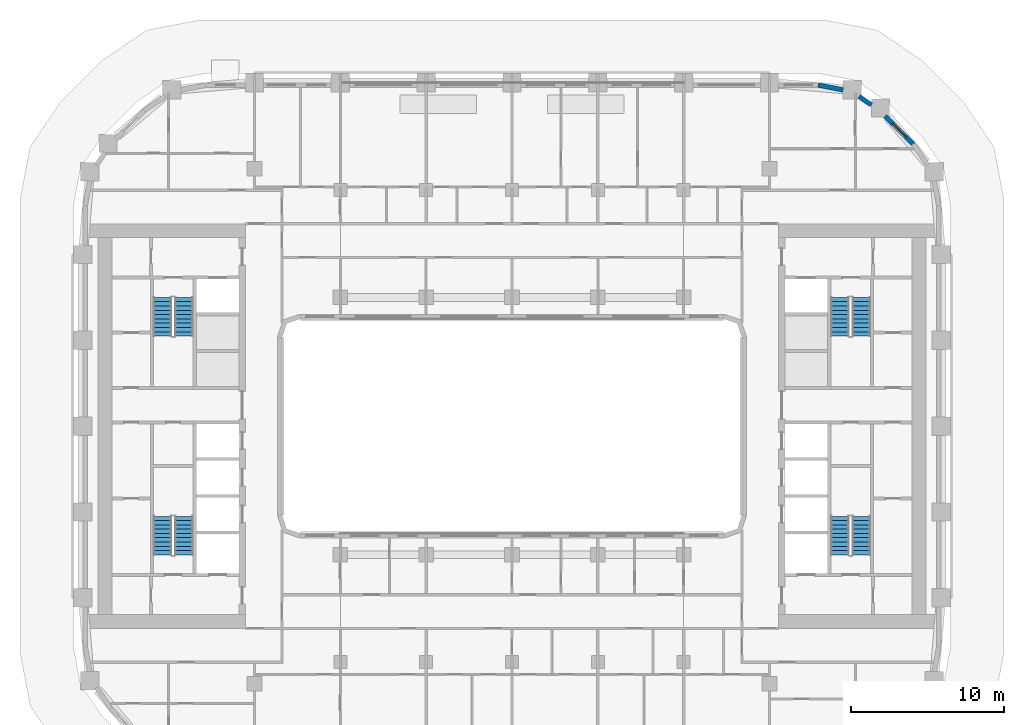
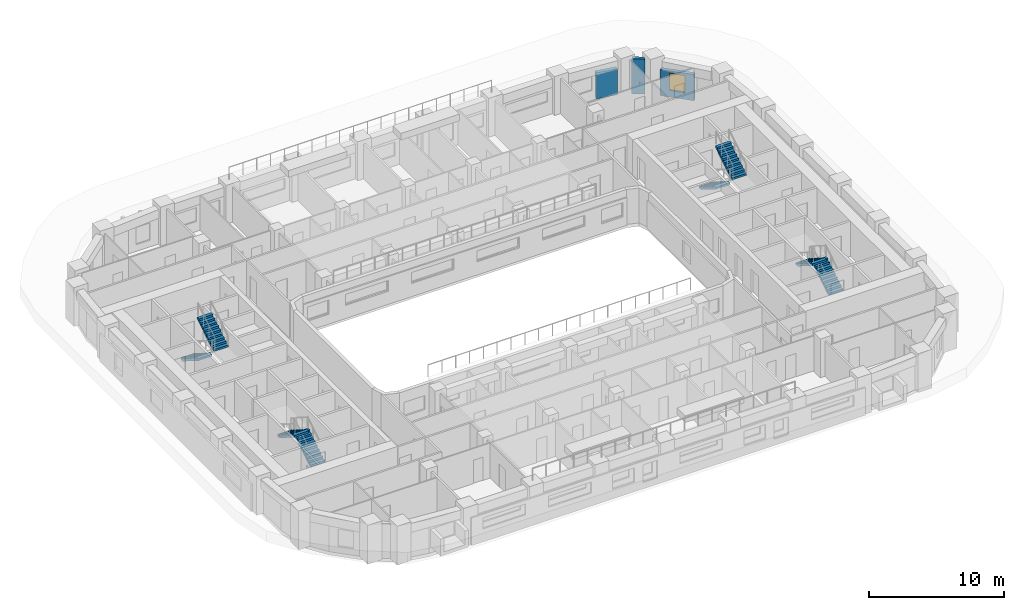
# One storey, part 11 of 18: 8 stair flights, 3 walls, 1 window, 1 opening, 4 elements without a shape of their own.
"""IFC4 building model written with IfcOpenShell, lengths in metres."""

import ifcopenshell
import ifcopenshell.guid

model = None  # the IFC model being written
_history = None  # IfcOwnerHistory: only IFC2X3 demands one
_inside = {}  # id of a spatial element -> (the spatial element, [elements in it])
_under = {}  # id of a project, library or spatial element -> (it, [spatial elements below it])
_declared = {}  # id of a project -> (the project, [libraries it declares])
_typed = {}  # id of a type object -> (the type object, [elements of that type])
_made_of = {}  # id of a material, layer set ... -> (it, [elements and type objects made of it])


def new_model(schema):
    """Start an empty IFC model of exactly this schema.

    Asked for "IFC4X3", IfcOpenShell would pick the latest addendum, in which some entities
    have other attributes; the version numbers below select the first issue.
    IFC2X3 requires an IfcOwnerHistory on every rooted entity: one is made here for all.
    """
    global model, _history
    if schema == "IFC4X3":
        model = ifcopenshell.file(schema_version=(4, 3, 0, 0))
    else:
        model = ifcopenshell.file(schema=schema)
    _inside.clear()
    _under.clear()
    _declared.clear()
    _typed.clear()
    _made_of.clear()
    _history = None
    if model.schema == "IFC2X3":
        org = make("IfcOrganization", Name="unknown")
        user = make(
            "IfcPersonAndOrganization",
            ThePerson=make("IfcPerson", FamilyName="unknown"),
            TheOrganization=org,
        )
        app = make(
            "IfcApplication",
            ApplicationDeveloper=org,
            Version="unknown",
            ApplicationFullName="unknown",
            ApplicationIdentifier="unknown",
        )
        _history = make(
            "IfcOwnerHistory",
            OwningUser=user,
            OwningApplication=app,
            ChangeAction="ADDED",
            CreationDate=0,
        )
    return model


def make(cls, **values):
    """One entity of the class cls with the attributes given. An attribute that is None is left unset."""
    return model.create_entity(
        cls, **{name: value for name, value in values.items() if value is not None}
    )


def rooted(cls, **values):
    """An entity with a GlobalId (a new one), such as an element, a storey or a relation."""
    return make(cls, GlobalId=ifcopenshell.guid.new(), OwnerHistory=_history, **values)


def si_unit(unit_type, name, prefix=None):
    """IfcSIUnit, for example si_unit("LENGTHUNIT", "METRE", prefix="MILLI")."""
    return make("IfcSIUnit", UnitType=unit_type, Prefix=prefix, Name=name)


def assignment(units):
    """IfcUnitAssignment: the units of a project."""
    return None if units is None else make("IfcUnitAssignment", Units=units)


def point(xyz):
    """IfcCartesianPoint."""
    return None if xyz is None else make("IfcCartesianPoint", Coordinates=xyz)


def direction(xyz):
    """IfcDirection."""
    return None if xyz is None else make("IfcDirection", DirectionRatios=xyz)


def frame(location, z_axis=None, x_axis=None):
    """IfcAxis2Placement3D, a coordinate frame: its origin and axes. An axis left out is left unset."""
    return make(
        "IfcAxis2Placement3D",
        Location=point(location),
        Axis=direction(z_axis),
        RefDirection=direction(x_axis),
    )


def frame_2d(location, x_axis=None):
    """IfcAxis2Placement2D, a coordinate frame in the plane: its origin and x axis."""
    return make(
        "IfcAxis2Placement2D", Location=point(location), RefDirection=direction(x_axis)
    )


def origin():
    """The frame at (0, 0, 0) with its axes left unset."""
    return frame((0.0, 0.0, 0.0))


def place(relative_to, where):
    """IfcLocalPlacement: puts the frame where relative to a parent placement (None: the world)."""
    return make(
        "IfcLocalPlacement", PlacementRelTo=relative_to, RelativePlacement=where
    )


def context(
    kind, dimensions, precision=None, world=None, true_north=None, identifier=None
):
    """IfcGeometricRepresentationContext, for example the 3D "Model" context."""
    return make(
        "IfcGeometricRepresentationContext",
        ContextIdentifier=identifier,
        ContextType=kind,
        CoordinateSpaceDimension=dimensions,
        Precision=precision,
        WorldCoordinateSystem=world,
        TrueNorth=true_north,
    )


def subcontext(parent, identifier, kind, view, scale=None):
    """IfcGeometricRepresentationSubContext, for example "Body" below "Model"."""
    return make(
        "IfcGeometricRepresentationSubContext",
        ContextIdentifier=identifier,
        ContextType=kind,
        ParentContext=parent,
        TargetScale=scale,
        TargetView=view,
    )


def project(units=None, contexts=None):
    """IfcProject with its units and contexts."""
    return rooted(
        "IfcProject",
        Name="project",
        RepresentationContexts=contexts,
        UnitsInContext=assignment(units),
    )


def spatial(cls, under=None, at=None, **own):
    """A site, building, storey or space (cls), placed at a placement, below another one or the project."""
    s = rooted(cls, ObjectPlacement=at, **own)
    if under is not None:
        _under.setdefault(under.id(), (under, []))[1].append(s)
    return s


def polyline(points):
    """IfcPolyline through the points."""
    return make("IfcPolyline", Points=[point(p) for p in points])


def profile(cls, at=None, kind="AREA", **sizes):
    """A parametric profile (cls). Its sizes go by their IFC names, for example OverallWidth=200.0."""
    return make(cls, ProfileType=kind, Position=at, **sizes)


def rectangle(**sizes):
    """IfcRectangleProfileDef."""
    return profile("IfcRectangleProfileDef", **sizes)


def outline(outer, holes=None, kind="AREA"):
    """IfcArbitraryClosedProfileDef: a profile drawn as a closed curve; with holes, ...WithVoids."""
    if holes is None:
        return make("IfcArbitraryClosedProfileDef", ProfileType=kind, OuterCurve=outer)
    return make(
        "IfcArbitraryProfileDefWithVoids",
        ProfileType=kind,
        OuterCurve=outer,
        InnerCurves=holes,
    )


def extrude(swept, where, along, depth):
    """IfcExtrudedAreaSolid: the profile swept, set in the frame where, extruded along a direction by depth."""
    return make(
        "IfcExtrudedAreaSolid",
        SweptArea=swept,
        Position=where,
        ExtrudedDirection=direction(along),
        Depth=depth,
    )


def shape(context_of_items, identifier, shape_type, items):
    """IfcShapeRepresentation: the items that make up one representation, for example the "Body"."""
    return make(
        "IfcShapeRepresentation",
        ContextOfItems=context_of_items,
        RepresentationIdentifier=identifier,
        RepresentationType=shape_type,
        Items=items,
    )


def material(Name=None, Category=None):
    """IfcMaterial."""
    return make("IfcMaterial", Name=Name, Category=Category)


def layer(
    of_material, thickness, ventilated=None, Name=None, Category=None, Priority=None
):
    """IfcMaterialLayer: one layer of a wall or slab, of a material (None: an air gap)."""
    return make(
        "IfcMaterialLayer",
        Material=of_material,
        LayerThickness=thickness,
        IsVentilated=ventilated,
        Name=Name,
        Category=Category,
        Priority=Priority,
    )


def layer_set(layers, Name=None):
    """IfcMaterialLayerSet."""
    return make("IfcMaterialLayerSet", MaterialLayers=layers, LayerSetName=Name)


def made_of(thing, what):
    """Note that an element or type object is made of a material, layer set ...; save() writes the relation."""
    if what is not None:
        _made_of.setdefault(what.id(), (what, []))[1].append(thing)
    return thing


def type_object(cls, material=None, **own):
    """A type object (cls), such as IfcWallType, which elements share."""
    return made_of(rooted(cls, **own), material)


def element(
    cls,
    number,
    at=None,
    inside=None,
    cuts=None,
    type_object=None,
    material=None,
    context=None,
    identifier="Body",
    shape_type=None,
    held_by="IfcProductDefinitionShape",
    body=None,
    shapes=None,
    **own,
):
    """One element of the class cls, such as IfcWall. Its Tag is "e" and its number.

    at: its placement. inside: the storey or other place that contains it. cuts: it is an
    opening in that element (IfcRelVoidsElement). A single representation is given by context,
    identifier, shape_type and body (its items); several are given by shapes. held_by: the class
    of the entity that holds the representations. save() writes the other relations.
    """
    e = rooted(cls, Tag="e%d" % number, ObjectPlacement=at, **own)
    if body is not None:
        shapes = [shape(context, identifier, shape_type, body)]
    if shapes is not None:
        e.Representation = make(held_by, Representations=shapes)
    if inside is not None:
        _inside.setdefault(inside.id(), (inside, []))[1].append(e)
    if cuts is not None:
        rooted(
            "IfcRelVoidsElement", RelatingBuildingElement=cuts, RelatedOpeningElement=e
        )
    if type_object is not None:
        _typed.setdefault(type_object.id(), (type_object, []))[1].append(e)
    return made_of(e, material)


def fill(opening, filler):
    """IfcRelFillsElement: the door or window that sits in an opening."""
    return rooted(
        "IfcRelFillsElement",
        RelatingOpeningElement=opening,
        RelatedBuildingElement=filler,
    )


def aggregate(whole, parts):
    """IfcRelAggregates: a whole, such as a stair, and the parts it consists of."""
    return rooted("IfcRelAggregates", RelatingObject=whole, RelatedObjects=parts)


def save(model, path):
    """Write the relations noted so far, then the file.

    IfcRelAggregates (storeys below a building ...), IfcRelContainedInSpatialStructure (elements
    in a storey), IfcRelDefinesByType, IfcRelAssociatesMaterial and IfcRelDeclares: one each for
    every whole, place, type object, material and project.
    """
    for whole, parts in _under.values():
        aggregate(whole, parts)
    for where, things in _inside.values():
        rooted(
            "IfcRelContainedInSpatialStructure",
            RelatedElements=things,
            RelatingStructure=where,
        )
    for kind, things in _typed.values():
        rooted("IfcRelDefinesByType", RelatedObjects=things, RelatingType=kind)
    for what, things in _made_of.values():
        rooted("IfcRelAssociatesMaterial", RelatedObjects=things, RelatingMaterial=what)
    for by, libraries in _declared.values():
        rooted("IfcRelDeclares", RelatingContext=by, RelatedDefinitions=libraries)
    model.write(path)


model = new_model("IFC4")

# Units and contexts
model_context = context("Model", 3, precision=1e-05, world=origin(), true_north=direction((0.0, 1.0)))
body_context = subcontext(model_context, "Body", "Model", "MODEL_VIEW")
ifc_project = project(units=[si_unit("LENGTHUNIT", "METRE"), si_unit("AREAUNIT", "SQUARE_METRE"), si_unit("VOLUMEUNIT", "CUBIC_METRE"), si_unit("PLANEANGLEUNIT", "RADIAN"), si_unit("MASSUNIT", "GRAM", prefix="KILO")], contexts=[model_context])

# Site, building, storey
site_placement = place(None, origin())
site = spatial("IfcSite", under=ifc_project, at=site_placement, CompositionType="ELEMENT")
building_placement = place(site_placement, origin())
building = spatial("IfcBuilding", under=site, at=building_placement, Name="Kiln Ring Residences", CompositionType="ELEMENT")
storey_placement = place(building_placement, frame((0.0, 0.0, 121.800048828125)))
storey = spatial("IfcBuildingStorey", under=building, at=storey_placement, Name="L31", CompositionType="ELEMENT", Elevation=121.800048828125)

# Wall, opening, window
ifc_material_1 = material(Name="Brick masonry, dark clay brick", Category="masonry")
ifc_layer = layer(ifc_material_1, 0.300048828125)
ifc_layer_set = layer_set([ifc_layer], Name="EW-300 BRICK WALL")
wall_type = type_object("IfcWallType", Name="EW-300 BRICK WALL", PredefinedType="SOLIDWALL", material=ifc_layer_set)
wall_1_placement = place(storey_placement, frame((26.19677734375, 18.390869140625, 0.0), z_axis=(0.0, 0.0, 1.0), x_axis=(-0.707059830104, 0.707153729152, 0.0)))
wall_1 = element("IfcWall", 1, at=wall_1_placement, inside=storey, type_object=wall_type, Name="Facade wall L31 25", PredefinedType="SOLIDWALL", context=body_context, shape_type="SweptSolid", body=[
    extrude(rectangle(XDim=2.60009765625, YDim=0.300048828125, at=frame_2d((1.300048828125, 0.0))), origin(), (0.0, 0.0, 1.0), 2.349853515625),
])
opening_placement = place(wall_1_placement, frame((0.699951171875, 0.0, 0.60009765625)))
opening = element("IfcOpeningElement", 2, at=opening_placement, cuts=wall_1, Name="Opening W1", PredefinedType="OPENING", context=body_context, shape_type="SweptSolid", body=[
    extrude(rectangle(XDim=1.199951171875, YDim=1.550048828125, at=frame_2d((0.60009765625, 0.77490234375))), frame((0.0, 0.159912109375, 0.0), z_axis=(0.0, -1.0, 0.0), x_axis=(1.0, 0.0, 0.0)), (0.0, 0.0, 1.0), 0.320068359375),
])
ifc_material_2 = material(Name="Aluminium frame with double glazing", Category="aluminium")
window_type = type_object("IfcWindowType", Name="WINDOW 1200 x 1550", PartitioningType="SINGLE_PANEL", PredefinedType="WINDOW", material=ifc_material_2)
window_placement = place(opening_placement, origin())
window = element("IfcWindow", 3, at=window_placement, inside=storey, type_object=window_type, Name="Window L31 13", OverallHeight=1.550048828125, OverallWidth=1.199951171875, PartitioningType="SINGLE_PANEL", PredefinedType="WINDOW", context=body_context, shape_type="SweptSolid", body=[
    extrude(rectangle(XDim=1.199951171875, YDim=1.550048828125, at=frame_2d((0.60009765625, 0.77490234375))), frame((0.0, 0.030029296875, 0.0), z_axis=(0.0, -1.0, 0.0), x_axis=(1.0, 0.0, 0.0)), (0.0, 0.0, 1.0), 0.06005859375),
])
fill(opening, window)

# Walls
wall_2_placement = place(storey_placement, frame((23.451171875, 20.96044921875, 0.0), z_axis=(0.0, 0.0, 1.0), x_axis=(-0.827019434577, 0.562173331661, 0.0)))
element("IfcWall", 4, at=wall_2_placement, inside=storey, type_object=wall_type, Name="Facade wall L31 26", PredefinedType="SOLIDWALL", context=body_context, shape_type="SweptSolid", body=[
    extrude(rectangle(XDim=0.97705078125, YDim=0.300048828125, at=frame_2d((0.488525390625, 0.0))), origin(), (0.0, 0.0, 1.0), 3.14990234375),
])
wall_3_placement = place(storey_placement, frame((21.5986328125, 21.9423828125, 0.0), z_axis=(0.0, 0.0, 1.0), x_axis=(-0.98228820662, 0.187376303559, 0.0)))
element("IfcWall", 5, at=wall_3_placement, inside=storey, type_object=wall_type, Name="Facade wall L31 27", PredefinedType="SOLIDWALL", context=body_context, shape_type="SweptSolid", body=[
    extrude(rectangle(XDim=1.656005859375, YDim=0.300048828125, at=frame_2d((0.828125, 0.0))), origin(), (0.0, 0.0, 1.0), 2.349853515625),
])

# Stair, stair flights
ifc_material_3 = material(Name="Concrete C40/50", Category="concrete")
stair_type = type_object("IfcStairType", Name="CORE-STAIR", PredefinedType="HALF_TURN_STAIR", material=ifc_material_3)
placement = place(storey_placement, origin())
stair_1 = element("IfcStair", 6, at=placement, inside=storey, type_object=stair_type, Name="L31 stair W-STN", PredefinedType="HALF_TURN_STAIR")
ifc_material_4 = material(Name="Concrete C40/50", Category="concrete")
stair_flight_type = type_object("IfcStairFlightType", Name="CORE-STAIR-FLIGHT", PredefinedType="STRAIGHT", material=ifc_material_4)
stair_flight_1_placement = place(storey_placement, frame((-22.800048828125, 8.39990234375, 0.0), z_axis=(0.0, 0.0, 1.0), x_axis=(0.0, -1.0, 0.0)))
stair_flight_1 = element("IfcStairFlight", 7, at=stair_flight_1_placement, type_object=stair_flight_type, Name="W-STN flight 1", NumberOfRisers=10, NumberOfTreads=9, PredefinedType="STRAIGHT", RiserHeight=0.175, TreadLength=0.28, context=body_context, shape_type="SweptSolid", body=[
    extrude(outline(polyline([(0.0, 0.0), (0.0, 0.175048828125), (0.280029296875, 0.175048828125), (0.280029296875, 0.35009765625), (0.56005859375, 0.35009765625), (0.56005859375, 0.52490234375), (0.840087890625, 0.52490234375), (0.840087890625, 0.699951171875), (1.1201171875, 0.699951171875), (1.1201171875, 0.875), (1.39990234375, 0.875), (1.39990234375, 1.050048828125), (1.679931640625, 1.050048828125), (1.679931640625, 1.22509765625), (1.9599609375, 1.22509765625), (1.9599609375, 1.39990234375), (2.239990234375, 1.39990234375), (2.239990234375, 1.574951171875), (2.52001953125, 1.574951171875), (2.52001953125, 1.75), (2.52001953125, 1.398193359375), (0.28271484375, 0.0), (0.0, 0.0)])), frame((0.0, 0.60009765625, 0.0), z_axis=(0.0, -1.0, 0.0), x_axis=(1.0, 0.0, 0.0)), (0.0, 0.0, 1.0), 1.199951171875),
])
stair_flight_2_placement = place(storey_placement, frame((-21.39990234375, 5.8798828125, 1.75), z_axis=(0.0, 0.0, 1.0), x_axis=(0.0, 1.0, 0.0)))
stair_flight_2 = element("IfcStairFlight", 8, at=stair_flight_2_placement, type_object=stair_flight_type, Name="W-STN flight 2", NumberOfRisers=10, NumberOfTreads=9, PredefinedType="STRAIGHT", RiserHeight=0.175, TreadLength=0.28, context=body_context, shape_type="SweptSolid", body=[
    extrude(outline(polyline([(0.0, 0.0), (0.0, 0.175048828125), (0.280029296875, 0.175048828125), (0.280029296875, 0.35009765625), (0.56005859375, 0.35009765625), (0.56005859375, 0.52490234375), (0.840087890625, 0.52490234375), (0.840087890625, 0.699951171875), (1.1201171875, 0.699951171875), (1.1201171875, 0.875), (1.39990234375, 0.875), (1.39990234375, 1.050048828125), (1.679931640625, 1.050048828125), (1.679931640625, 1.22509765625), (1.9599609375, 1.22509765625), (1.9599609375, 1.39990234375), (2.239990234375, 1.39990234375), (2.239990234375, 1.574951171875), (2.52001953125, 1.574951171875), (2.52001953125, 1.75), (2.52001953125, 1.398193359375), (0.28271484375, 0.0), (0.0, 0.0)])), frame((0.0, 0.60009765625, 0.0), z_axis=(0.0, -1.0, 0.0), x_axis=(1.0, 0.0, 0.0)), (0.0, 0.0, 1.0), 1.199951171875),
])
aggregate(stair_1, [stair_flight_1, stair_flight_2])

stair_2 = element("IfcStair", 9, at=placement, inside=storey, type_object=stair_type, Name="L31 stair W-STS", PredefinedType="HALF_TURN_STAIR")
stair_flight_3_placement = place(storey_placement, frame((-21.39990234375, -8.39990234375, 0.0), z_axis=(0.0, 0.0, 1.0), x_axis=(0.0, 1.0, 0.0)))
stair_flight_3 = element("IfcStairFlight", 10, at=stair_flight_3_placement, type_object=stair_flight_type, Name="W-STS flight 1", NumberOfRisers=10, NumberOfTreads=9, PredefinedType="STRAIGHT", RiserHeight=0.175, TreadLength=0.28, context=body_context, shape_type="SweptSolid", body=[
    extrude(outline(polyline([(0.0, 0.0), (0.0, 0.175048828125), (0.280029296875, 0.175048828125), (0.280029296875, 0.35009765625), (0.56005859375, 0.35009765625), (0.56005859375, 0.52490234375), (0.840087890625, 0.52490234375), (0.840087890625, 0.699951171875), (1.1201171875, 0.699951171875), (1.1201171875, 0.875), (1.39990234375, 0.875), (1.39990234375, 1.050048828125), (1.679931640625, 1.050048828125), (1.679931640625, 1.22509765625), (1.9599609375, 1.22509765625), (1.9599609375, 1.39990234375), (2.239990234375, 1.39990234375), (2.239990234375, 1.574951171875), (2.52001953125, 1.574951171875), (2.52001953125, 1.75), (2.52001953125, 1.398193359375), (0.28271484375, 0.0), (0.0, 0.0)])), frame((0.0, 0.60009765625, 0.0), z_axis=(0.0, -1.0, 0.0), x_axis=(1.0, 0.0, 0.0)), (0.0, 0.0, 1.0), 1.199951171875),
])
stair_flight_4_placement = place(storey_placement, frame((-22.800048828125, -5.8798828125, 1.75), z_axis=(0.0, 0.0, 1.0), x_axis=(0.0, -1.0, 0.0)))
stair_flight_4 = element("IfcStairFlight", 11, at=stair_flight_4_placement, type_object=stair_flight_type, Name="W-STS flight 2", NumberOfRisers=10, NumberOfTreads=9, PredefinedType="STRAIGHT", RiserHeight=0.175, TreadLength=0.28, context=body_context, shape_type="SweptSolid", body=[
    extrude(outline(polyline([(0.0, 0.0), (0.0, 0.175048828125), (0.280029296875, 0.175048828125), (0.280029296875, 0.35009765625), (0.56005859375, 0.35009765625), (0.56005859375, 0.52490234375), (0.840087890625, 0.52490234375), (0.840087890625, 0.699951171875), (1.1201171875, 0.699951171875), (1.1201171875, 0.875), (1.39990234375, 0.875), (1.39990234375, 1.050048828125), (1.679931640625, 1.050048828125), (1.679931640625, 1.22509765625), (1.9599609375, 1.22509765625), (1.9599609375, 1.39990234375), (2.239990234375, 1.39990234375), (2.239990234375, 1.574951171875), (2.52001953125, 1.574951171875), (2.52001953125, 1.75), (2.52001953125, 1.398193359375), (0.28271484375, 0.0), (0.0, 0.0)])), frame((0.0, 0.60009765625, 0.0), z_axis=(0.0, -1.0, 0.0), x_axis=(1.0, 0.0, 0.0)), (0.0, 0.0, 1.0), 1.199951171875),
])
aggregate(stair_2, [stair_flight_3, stair_flight_4])

stair_3 = element("IfcStair", 12, at=placement, inside=storey, type_object=stair_type, Name="L31 stair E-STN", PredefinedType="HALF_TURN_STAIR")
stair_flight_5_placement = place(storey_placement, frame((21.39990234375, 8.39990234375, 0.0), z_axis=(0.0, 0.0, 1.0), x_axis=(0.0, -1.0, 0.0)))
stair_flight_5 = element("IfcStairFlight", 13, at=stair_flight_5_placement, type_object=stair_flight_type, Name="E-STN flight 1", NumberOfRisers=10, NumberOfTreads=9, PredefinedType="STRAIGHT", RiserHeight=0.175, TreadLength=0.28, context=body_context, shape_type="SweptSolid", body=[
    extrude(outline(polyline([(0.0, 0.0), (0.0, 0.175048828125), (0.280029296875, 0.175048828125), (0.280029296875, 0.35009765625), (0.56005859375, 0.35009765625), (0.56005859375, 0.52490234375), (0.840087890625, 0.52490234375), (0.840087890625, 0.699951171875), (1.1201171875, 0.699951171875), (1.1201171875, 0.875), (1.39990234375, 0.875), (1.39990234375, 1.050048828125), (1.679931640625, 1.050048828125), (1.679931640625, 1.22509765625), (1.9599609375, 1.22509765625), (1.9599609375, 1.39990234375), (2.239990234375, 1.39990234375), (2.239990234375, 1.574951171875), (2.52001953125, 1.574951171875), (2.52001953125, 1.75), (2.52001953125, 1.398193359375), (0.28271484375, 0.0), (0.0, 0.0)])), frame((0.0, 0.60009765625, 0.0), z_axis=(0.0, -1.0, 0.0), x_axis=(1.0, 0.0, 0.0)), (0.0, 0.0, 1.0), 1.199951171875),
])
stair_flight_6_placement = place(storey_placement, frame((22.800048828125, 5.8798828125, 1.75), z_axis=(0.0, 0.0, 1.0), x_axis=(0.0, 1.0, 0.0)))
stair_flight_6 = element("IfcStairFlight", 14, at=stair_flight_6_placement, type_object=stair_flight_type, Name="E-STN flight 2", NumberOfRisers=10, NumberOfTreads=9, PredefinedType="STRAIGHT", RiserHeight=0.175, TreadLength=0.28, context=body_context, shape_type="SweptSolid", body=[
    extrude(outline(polyline([(0.0, 0.0), (0.0, 0.175048828125), (0.280029296875, 0.175048828125), (0.280029296875, 0.35009765625), (0.56005859375, 0.35009765625), (0.56005859375, 0.52490234375), (0.840087890625, 0.52490234375), (0.840087890625, 0.699951171875), (1.1201171875, 0.699951171875), (1.1201171875, 0.875), (1.39990234375, 0.875), (1.39990234375, 1.050048828125), (1.679931640625, 1.050048828125), (1.679931640625, 1.22509765625), (1.9599609375, 1.22509765625), (1.9599609375, 1.39990234375), (2.239990234375, 1.39990234375), (2.239990234375, 1.574951171875), (2.52001953125, 1.574951171875), (2.52001953125, 1.75), (2.52001953125, 1.398193359375), (0.28271484375, 0.0), (0.0, 0.0)])), frame((0.0, 0.60009765625, 0.0), z_axis=(0.0, -1.0, 0.0), x_axis=(1.0, 0.0, 0.0)), (0.0, 0.0, 1.0), 1.199951171875),
])
aggregate(stair_3, [stair_flight_5, stair_flight_6])

stair_4 = element("IfcStair", 15, at=placement, inside=storey, type_object=stair_type, Name="L31 stair E-STS", PredefinedType="HALF_TURN_STAIR")
stair_flight_7_placement = place(storey_placement, frame((22.800048828125, -8.39990234375, 0.0), z_axis=(0.0, 0.0, 1.0), x_axis=(0.0, 1.0, 0.0)))
stair_flight_7 = element("IfcStairFlight", 16, at=stair_flight_7_placement, type_object=stair_flight_type, Name="E-STS flight 1", NumberOfRisers=10, NumberOfTreads=9, PredefinedType="STRAIGHT", RiserHeight=0.175, TreadLength=0.28, context=body_context, shape_type="SweptSolid", body=[
    extrude(outline(polyline([(0.0, 0.0), (0.0, 0.175048828125), (0.280029296875, 0.175048828125), (0.280029296875, 0.35009765625), (0.56005859375, 0.35009765625), (0.56005859375, 0.52490234375), (0.840087890625, 0.52490234375), (0.840087890625, 0.699951171875), (1.1201171875, 0.699951171875), (1.1201171875, 0.875), (1.39990234375, 0.875), (1.39990234375, 1.050048828125), (1.679931640625, 1.050048828125), (1.679931640625, 1.22509765625), (1.9599609375, 1.22509765625), (1.9599609375, 1.39990234375), (2.239990234375, 1.39990234375), (2.239990234375, 1.574951171875), (2.52001953125, 1.574951171875), (2.52001953125, 1.75), (2.52001953125, 1.398193359375), (0.28271484375, 0.0), (0.0, 0.0)])), frame((0.0, 0.60009765625, 0.0), z_axis=(0.0, -1.0, 0.0), x_axis=(1.0, 0.0, 0.0)), (0.0, 0.0, 1.0), 1.199951171875),
])
stair_flight_8_placement = place(storey_placement, frame((21.39990234375, -5.8798828125, 1.75), z_axis=(0.0, 0.0, 1.0), x_axis=(0.0, -1.0, 0.0)))
stair_flight_8 = element("IfcStairFlight", 17, at=stair_flight_8_placement, type_object=stair_flight_type, Name="E-STS flight 2", NumberOfRisers=10, NumberOfTreads=9, PredefinedType="STRAIGHT", RiserHeight=0.175, TreadLength=0.28, context=body_context, shape_type="SweptSolid", body=[
    extrude(outline(polyline([(0.0, 0.0), (0.0, 0.175048828125), (0.280029296875, 0.175048828125), (0.280029296875, 0.35009765625), (0.56005859375, 0.35009765625), (0.56005859375, 0.52490234375), (0.840087890625, 0.52490234375), (0.840087890625, 0.699951171875), (1.1201171875, 0.699951171875), (1.1201171875, 0.875), (1.39990234375, 0.875), (1.39990234375, 1.050048828125), (1.679931640625, 1.050048828125), (1.679931640625, 1.22509765625), (1.9599609375, 1.22509765625), (1.9599609375, 1.39990234375), (2.239990234375, 1.39990234375), (2.239990234375, 1.574951171875), (2.52001953125, 1.574951171875), (2.52001953125, 1.75), (2.52001953125, 1.398193359375), (0.28271484375, 0.0), (0.0, 0.0)])), frame((0.0, 0.60009765625, 0.0), z_axis=(0.0, -1.0, 0.0), x_axis=(1.0, 0.0, 0.0)), (0.0, 0.0, 1.0), 1.199951171875),
])
aggregate(stair_4, [stair_flight_7, stair_flight_8])

save(model, "model.ifc")
